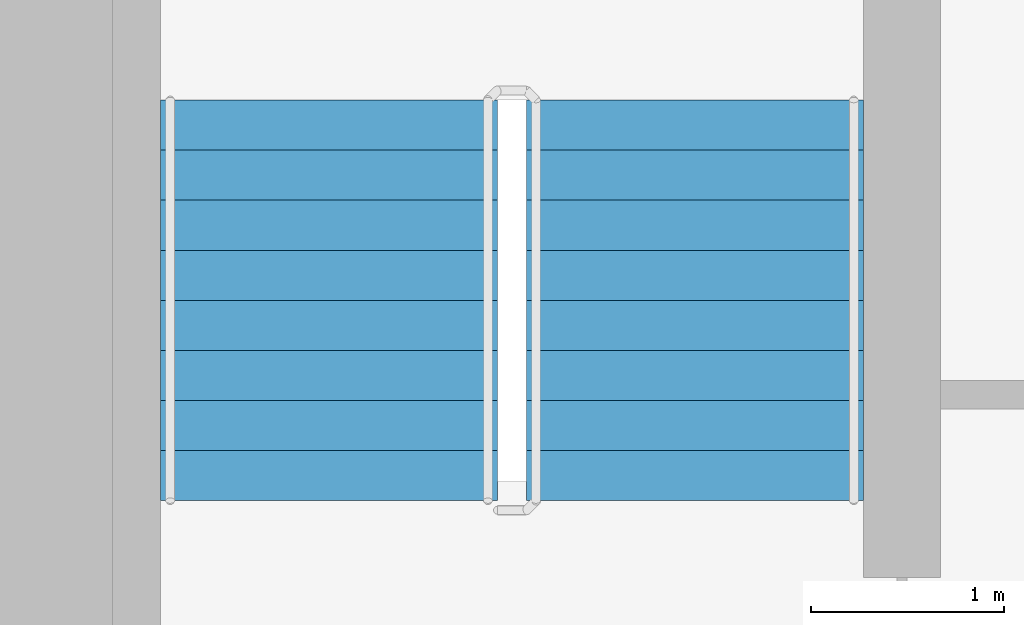
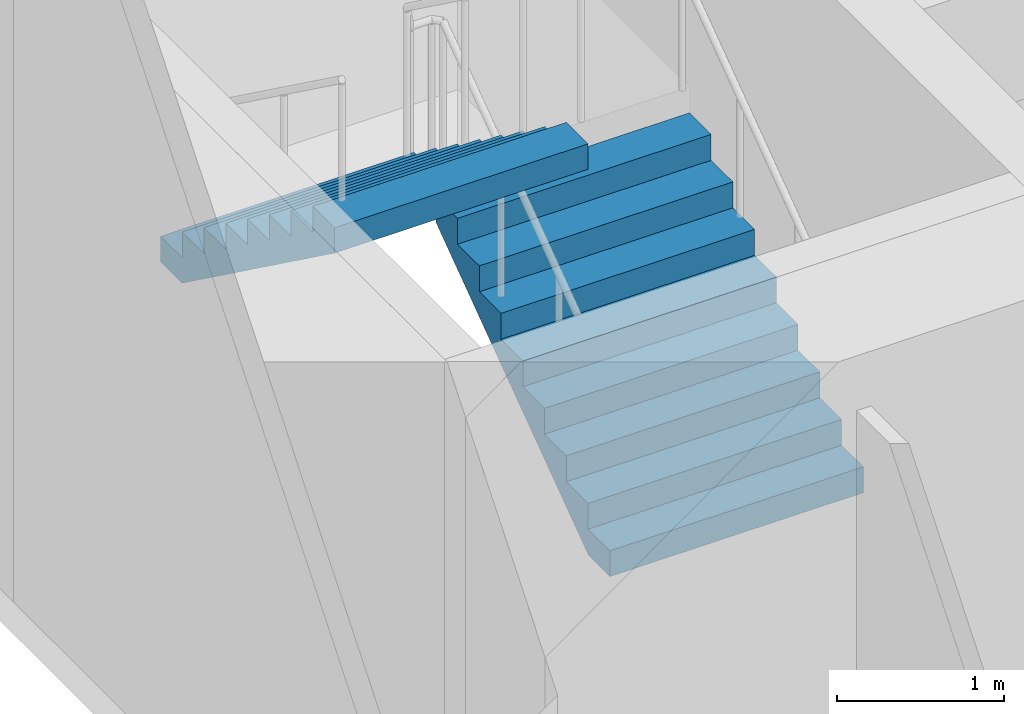
# One storey, part 18 of 21: 2 stair flights, 1 element without a shape of its own.
"""IFC4 building model written with IfcOpenShell, lengths in metres."""

import ifcopenshell
import ifcopenshell.guid

model = None  # the IFC model being written
_history = None  # IfcOwnerHistory: only IFC2X3 demands one
_inside = {}  # id of a spatial element -> (the spatial element, [elements in it])
_under = {}  # id of a project, library or spatial element -> (it, [spatial elements below it])
_declared = {}  # id of a project -> (the project, [libraries it declares])
_typed = {}  # id of a type object -> (the type object, [elements of that type])
_made_of = {}  # id of a material, layer set ... -> (it, [elements and type objects made of it])


def new_model(schema):
    """Start an empty IFC model of exactly this schema.

    Asked for "IFC4X3", IfcOpenShell would pick the latest addendum, in which some entities
    have other attributes; the version numbers below select the first issue.
    IFC2X3 requires an IfcOwnerHistory on every rooted entity: one is made here for all.
    """
    global model, _history
    if schema == "IFC4X3":
        model = ifcopenshell.file(schema_version=(4, 3, 0, 0))
    else:
        model = ifcopenshell.file(schema=schema)
    _inside.clear()
    _under.clear()
    _declared.clear()
    _typed.clear()
    _made_of.clear()
    _history = None
    if model.schema == "IFC2X3":
        org = make("IfcOrganization", Name="unknown")
        user = make(
            "IfcPersonAndOrganization",
            ThePerson=make("IfcPerson", FamilyName="unknown"),
            TheOrganization=org,
        )
        app = make(
            "IfcApplication",
            ApplicationDeveloper=org,
            Version="unknown",
            ApplicationFullName="unknown",
            ApplicationIdentifier="unknown",
        )
        _history = make(
            "IfcOwnerHistory",
            OwningUser=user,
            OwningApplication=app,
            ChangeAction="ADDED",
            CreationDate=0,
        )
    return model


def make(cls, **values):
    """One entity of the class cls with the attributes given. An attribute that is None is left unset."""
    return model.create_entity(
        cls, **{name: value for name, value in values.items() if value is not None}
    )


def rooted(cls, **values):
    """An entity with a GlobalId (a new one), such as an element, a storey or a relation."""
    return make(cls, GlobalId=ifcopenshell.guid.new(), OwnerHistory=_history, **values)


def si_unit(unit_type, name, prefix=None):
    """IfcSIUnit, for example si_unit("LENGTHUNIT", "METRE", prefix="MILLI")."""
    return make("IfcSIUnit", UnitType=unit_type, Prefix=prefix, Name=name)


def assignment(units):
    """IfcUnitAssignment: the units of a project."""
    return None if units is None else make("IfcUnitAssignment", Units=units)


def point(xyz):
    """IfcCartesianPoint."""
    return None if xyz is None else make("IfcCartesianPoint", Coordinates=xyz)


def direction(xyz):
    """IfcDirection."""
    return None if xyz is None else make("IfcDirection", DirectionRatios=xyz)


def frame(location, z_axis=None, x_axis=None):
    """IfcAxis2Placement3D, a coordinate frame: its origin and axes. An axis left out is left unset."""
    return make(
        "IfcAxis2Placement3D",
        Location=point(location),
        Axis=direction(z_axis),
        RefDirection=direction(x_axis),
    )


def origin():
    """The frame at (0, 0, 0) with its axes left unset."""
    return frame((0.0, 0.0, 0.0))


def place(relative_to, where):
    """IfcLocalPlacement: puts the frame where relative to a parent placement (None: the world)."""
    return make(
        "IfcLocalPlacement", PlacementRelTo=relative_to, RelativePlacement=where
    )


def context(
    kind, dimensions, precision=None, world=None, true_north=None, identifier=None
):
    """IfcGeometricRepresentationContext, for example the 3D "Model" context."""
    return make(
        "IfcGeometricRepresentationContext",
        ContextIdentifier=identifier,
        ContextType=kind,
        CoordinateSpaceDimension=dimensions,
        Precision=precision,
        WorldCoordinateSystem=world,
        TrueNorth=true_north,
    )


def subcontext(parent, identifier, kind, view, scale=None):
    """IfcGeometricRepresentationSubContext, for example "Body" below "Model"."""
    return make(
        "IfcGeometricRepresentationSubContext",
        ContextIdentifier=identifier,
        ContextType=kind,
        ParentContext=parent,
        TargetScale=scale,
        TargetView=view,
    )


def project(units=None, contexts=None):
    """IfcProject with its units and contexts."""
    return rooted(
        "IfcProject",
        Name="project",
        RepresentationContexts=contexts,
        UnitsInContext=assignment(units),
    )


def spatial(cls, under=None, at=None, **own):
    """A site, building, storey or space (cls), placed at a placement, below another one or the project."""
    s = rooted(cls, ObjectPlacement=at, **own)
    if under is not None:
        _under.setdefault(under.id(), (under, []))[1].append(s)
    return s


def faces_of(points, faces, orient=None, outer=None):
    """IfcFace entities. A face is a list of loops; a loop is a list of indices into points, from 0.

    orient and outer hold one flag for each loop. By default every Orientation is true, the
    first loop of a face is its IfcFaceOuterBound and the others are IfcFaceBound.
    """
    made = []
    for i, loops in enumerate(faces):
        bounds = []
        for j, loop in enumerate(loops):
            is_outer = j == 0 if outer is None else outer[i][j]
            bounds.append(
                make(
                    "IfcFaceOuterBound" if is_outer else "IfcFaceBound",
                    Bound=make("IfcPolyLoop", Polygon=[points[k] for k in loop]),
                    Orientation=True if orient is None else orient[i][j],
                )
            )
        made.append(make("IfcFace", Bounds=bounds))
    return made


def faceted_brep(points, faces, orient=None, outer=None, voids=None):
    """IfcFacetedBrep: a solid bounded by flat faces; with voids (closed shells), ...WithVoids."""
    shared = [point(p) for p in points]
    hull = make("IfcClosedShell", CfsFaces=faces_of(shared, faces, orient, outer))
    if voids is None:
        return make("IfcFacetedBrep", Outer=hull)
    return make(
        "IfcFacetedBrepWithVoids",
        Outer=hull,
        Voids=[
            make(cls, CfsFaces=faces_of(shared, fs, o, b)) for cls, fs, o, b in voids
        ],
    )


def shape(context_of_items, identifier, shape_type, items):
    """IfcShapeRepresentation: the items that make up one representation, for example the "Body"."""
    return make(
        "IfcShapeRepresentation",
        ContextOfItems=context_of_items,
        RepresentationIdentifier=identifier,
        RepresentationType=shape_type,
        Items=items,
    )


def material(Name=None, Category=None):
    """IfcMaterial."""
    return make("IfcMaterial", Name=Name, Category=Category)


def made_of(thing, what):
    """Note that an element or type object is made of a material, layer set ...; save() writes the relation."""
    if what is not None:
        _made_of.setdefault(what.id(), (what, []))[1].append(thing)
    return thing


def type_object(cls, material=None, **own):
    """A type object (cls), such as IfcWallType, which elements share."""
    return made_of(rooted(cls, **own), material)


def element(
    cls,
    number,
    at=None,
    inside=None,
    cuts=None,
    type_object=None,
    material=None,
    context=None,
    identifier="Body",
    shape_type=None,
    held_by="IfcProductDefinitionShape",
    body=None,
    shapes=None,
    **own,
):
    """One element of the class cls, such as IfcWall. Its Tag is "e" and its number.

    at: its placement. inside: the storey or other place that contains it. cuts: it is an
    opening in that element (IfcRelVoidsElement). A single representation is given by context,
    identifier, shape_type and body (its items); several are given by shapes. held_by: the class
    of the entity that holds the representations. save() writes the other relations.
    """
    e = rooted(cls, Tag="e%d" % number, ObjectPlacement=at, **own)
    if body is not None:
        shapes = [shape(context, identifier, shape_type, body)]
    if shapes is not None:
        e.Representation = make(held_by, Representations=shapes)
    if inside is not None:
        _inside.setdefault(inside.id(), (inside, []))[1].append(e)
    if cuts is not None:
        rooted(
            "IfcRelVoidsElement", RelatingBuildingElement=cuts, RelatedOpeningElement=e
        )
    if type_object is not None:
        _typed.setdefault(type_object.id(), (type_object, []))[1].append(e)
    return made_of(e, material)


def aggregate(whole, parts):
    """IfcRelAggregates: a whole, such as a stair, and the parts it consists of."""
    return rooted("IfcRelAggregates", RelatingObject=whole, RelatedObjects=parts)


def save(model, path):
    """Write the relations noted so far, then the file.

    IfcRelAggregates (storeys below a building ...), IfcRelContainedInSpatialStructure (elements
    in a storey), IfcRelDefinesByType, IfcRelAssociatesMaterial and IfcRelDeclares: one each for
    every whole, place, type object, material and project.
    """
    for whole, parts in _under.values():
        aggregate(whole, parts)
    for where, things in _inside.values():
        rooted(
            "IfcRelContainedInSpatialStructure",
            RelatedElements=things,
            RelatingStructure=where,
        )
    for kind, things in _typed.values():
        rooted("IfcRelDefinesByType", RelatedObjects=things, RelatingType=kind)
    for what, things in _made_of.values():
        rooted("IfcRelAssociatesMaterial", RelatedObjects=things, RelatingMaterial=what)
    for by, libraries in _declared.values():
        rooted("IfcRelDeclares", RelatingContext=by, RelatedDefinitions=libraries)
    model.write(path)


model = new_model("IFC4")

# Units and contexts
model_context = context("Model", 3, precision=1e-05, world=origin(), true_north=direction((0.0, 1.0)))
body_context = subcontext(model_context, "Body", "Model", "MODEL_VIEW")
ifc_project = project(units=[si_unit("LENGTHUNIT", "METRE"), si_unit("AREAUNIT", "SQUARE_METRE"), si_unit("VOLUMEUNIT", "CUBIC_METRE"), si_unit("PLANEANGLEUNIT", "RADIAN"), si_unit("MASSUNIT", "GRAM", prefix="KILO")], contexts=[model_context])

# Site, building, storey
site_placement = place(None, origin())
site = spatial("IfcSite", under=ifc_project, at=site_placement, CompositionType="ELEMENT")
building_placement = place(site_placement, origin())
building = spatial("IfcBuilding", under=site, at=building_placement, Name="Ipe Terrace Towers", CompositionType="ELEMENT")
storey_placement = place(building_placement, frame((0.0, 0.0, 93.60009765625)))
storey = spatial("IfcBuildingStorey", under=building, at=storey_placement, Name="L25", CompositionType="ELEMENT", Elevation=93.60009765625)

# Stair, stair flights
ifc_material_1 = material(Name="Concrete C30/37", Category="concrete")
stair_type = type_object("IfcStairType", Name="Protected exit stair", PredefinedType="HALF_TURN_STAIR", material=ifc_material_1)
stair_placement = place(storey_placement, origin())
stair = element("IfcStair", 1, at=stair_placement, inside=storey, type_object=stair_type, Name="L25 Exit stair T2-C1", PredefinedType="HALF_TURN_STAIR")
ifc_material_2 = material(Name="Concrete C30/37", Category="concrete")
stair_flight_type = type_object("IfcStairFlightType", Name="Exit stair flight 1750", PredefinedType="STRAIGHT", material=ifc_material_2)
stair_flight_1_placement = place(storey_placement, frame((33.22509765625, 9.699951171875, 0.0), z_axis=(0.0, 0.0, 1.0), x_axis=(0.0, 1.0, 0.0)))
stair_flight_1 = element("IfcStairFlight", 2, at=stair_flight_1_placement, type_object=stair_flight_type, Name="T2-ST1 flight 1", NumberOfRisers=9, NumberOfTreads=8, PredefinedType="STRAIGHT", RiserHeight=0.188888889, TreadLength=0.26, context=body_context, shape_type="Brep", body=[
    faceted_brep([(0.255126953125, -0.875, 0.0), (2.080078125, -0.875, 1.325927734375), (2.080078125, -0.875, 1.51123046875), (1.820068359375, -0.875, 1.51123046875), (1.820068359375, -0.875, 1.322265625), (1.56005859375, -0.875, 1.322265625), (1.56005859375, -0.875, 1.13330078125), (1.300048828125, -0.875, 1.13330078125), (1.300048828125, -0.875, 0.9443359375), (1.0400390625, -0.875, 0.9443359375), (1.0400390625, -0.875, 0.755615234375), (0.780029296875, -0.875, 0.755615234375), (0.780029296875, -0.875, 0.566650390625), (0.52001953125, -0.875, 0.566650390625), (0.52001953125, -0.875, 0.377685546875), (0.260009765625, -0.875, 0.377685546875), (0.260009765625, -0.875, 0.18896484375), (0.0, -0.875, 0.18896484375), (0.0, -0.875, 0.0), (0.0, 0.875, 0.0), (0.0, 0.875, 0.18896484375), (0.260009765625, 0.875, 0.18896484375), (0.260009765625, 0.875, 0.377685546875), (0.52001953125, 0.875, 0.377685546875), (0.52001953125, 0.875, 0.566650390625), (0.780029296875, 0.875, 0.566650390625), (0.780029296875, 0.875, 0.755615234375), (1.0400390625, 0.875, 0.755615234375), (1.0400390625, 0.875, 0.9443359375), (1.300048828125, 0.875, 0.9443359375), (1.300048828125, 0.875, 1.13330078125), (1.56005859375, 0.875, 1.13330078125), (1.56005859375, 0.875, 1.322265625), (1.820068359375, 0.875, 1.322265625), (1.820068359375, 0.875, 1.51123046875), (2.080078125, 0.875, 1.51123046875), (2.080078125, 0.875, 1.325927734375), (0.255126953125, 0.875, 0.0), (0.0, -0.300048828125, 0.18896484375), (0.0, -0.1201171875, 0.18896484375), (0.0, -0.06005859375, 0.18896484375), (0.0, -0.030029296875, 0.18896484375), (0.0, -0.010009765625, 0.18896484375), (0.0, 0.0, 0.18896484375), (0.0, 0.010009765625, 0.18896484375), (0.0, 0.030029296875, 0.18896484375), (0.0, 0.06005859375, 0.18896484375), (0.0, 0.1201171875, 0.18896484375), (0.0, 0.300048828125, 0.18896484375), (0.0, 0.300048828125, 0.0), (0.0, 0.1201171875, 0.0), (0.0, 0.06005859375, 0.0), (0.0, 0.030029296875, 0.0), (0.0, 0.010009765625, 0.0), (0.0, 0.0, 0.0), (0.0, -0.010009765625, 0.0), (0.0, -0.030029296875, 0.0), (0.0, -0.06005859375, 0.0), (0.0, -0.1201171875, 0.0), (0.0, -0.300048828125, 0.0), (0.260009765625, -0.300048828125, 0.18896484375), (0.260009765625, -0.1201171875, 0.18896484375), (0.260009765625, -0.06005859375, 0.18896484375), (0.260009765625, -0.030029296875, 0.18896484375), (0.260009765625, -0.010009765625, 0.18896484375), (0.260009765625, 0.0, 0.18896484375), (0.260009765625, 0.010009765625, 0.18896484375), (0.260009765625, 0.030029296875, 0.18896484375), (0.260009765625, 0.06005859375, 0.18896484375), (0.260009765625, 0.1201171875, 0.18896484375), (0.260009765625, 0.300048828125, 0.18896484375), (0.260009765625, -0.300048828125, 0.377685546875), (0.260009765625, -0.1201171875, 0.377685546875), (0.260009765625, -0.06005859375, 0.377685546875), (0.260009765625, -0.030029296875, 0.377685546875), (0.260009765625, -0.010009765625, 0.377685546875), (0.260009765625, 0.0, 0.377685546875), (0.260009765625, 0.010009765625, 0.377685546875), (0.260009765625, 0.030029296875, 0.377685546875), (0.260009765625, 0.06005859375, 0.377685546875), (0.260009765625, 0.1201171875, 0.377685546875), (0.260009765625, 0.300048828125, 0.377685546875), (0.52001953125, -0.300048828125, 0.377685546875), (0.52001953125, -0.1201171875, 0.377685546875), (0.52001953125, -0.06005859375, 0.377685546875), (0.52001953125, -0.030029296875, 0.377685546875), (0.52001953125, -0.010009765625, 0.377685546875), (0.52001953125, 0.0, 0.377685546875), (0.52001953125, 0.010009765625, 0.377685546875), (0.52001953125, 0.030029296875, 0.377685546875), (0.52001953125, 0.06005859375, 0.377685546875), (0.52001953125, 0.1201171875, 0.377685546875), (0.52001953125, 0.300048828125, 0.377685546875), (0.52001953125, -0.300048828125, 0.566650390625), (0.52001953125, -0.1201171875, 0.566650390625), (0.52001953125, -0.06005859375, 0.566650390625), (0.52001953125, -0.030029296875, 0.566650390625), (0.52001953125, -0.010009765625, 0.566650390625), (0.52001953125, 0.0, 0.566650390625), (0.52001953125, 0.010009765625, 0.566650390625), (0.52001953125, 0.030029296875, 0.566650390625), (0.52001953125, 0.06005859375, 0.566650390625), (0.52001953125, 0.1201171875, 0.566650390625), (0.52001953125, 0.300048828125, 0.566650390625), (0.780029296875, -0.300048828125, 0.566650390625), (0.780029296875, -0.1201171875, 0.566650390625), (0.780029296875, -0.06005859375, 0.566650390625), (0.780029296875, -0.030029296875, 0.566650390625), (0.780029296875, -0.010009765625, 0.566650390625), (0.780029296875, 0.0, 0.566650390625), (0.780029296875, 0.010009765625, 0.566650390625), (0.780029296875, 0.030029296875, 0.566650390625), (0.780029296875, 0.06005859375, 0.566650390625), (0.780029296875, 0.1201171875, 0.566650390625), (0.780029296875, 0.300048828125, 0.566650390625), (0.780029296875, -0.300048828125, 0.755615234375), (0.780029296875, -0.1201171875, 0.755615234375), (0.780029296875, -0.06005859375, 0.755615234375), (0.780029296875, -0.030029296875, 0.755615234375), (0.780029296875, -0.010009765625, 0.755615234375), (0.780029296875, 0.0, 0.755615234375), (0.780029296875, 0.010009765625, 0.755615234375), (0.780029296875, 0.030029296875, 0.755615234375), (0.780029296875, 0.06005859375, 0.755615234375), (0.780029296875, 0.1201171875, 0.755615234375), (0.780029296875, 0.300048828125, 0.755615234375), (1.0400390625, -0.300048828125, 0.755615234375), (1.0400390625, -0.1201171875, 0.755615234375), (1.0400390625, -0.06005859375, 0.755615234375), (1.0400390625, -0.030029296875, 0.755615234375), (1.0400390625, -0.010009765625, 0.755615234375), (1.0400390625, 0.0, 0.755615234375), (1.0400390625, 0.010009765625, 0.755615234375), (1.0400390625, 0.030029296875, 0.755615234375), (1.0400390625, 0.06005859375, 0.755615234375), (1.0400390625, 0.1201171875, 0.755615234375), (1.0400390625, 0.300048828125, 0.755615234375), (1.0400390625, -0.300048828125, 0.9443359375), (1.0400390625, -0.1201171875, 0.9443359375), (1.0400390625, -0.06005859375, 0.9443359375), (1.0400390625, -0.030029296875, 0.9443359375), (1.0400390625, -0.010009765625, 0.9443359375), (1.0400390625, 0.0, 0.9443359375), (1.0400390625, 0.010009765625, 0.9443359375), (1.0400390625, 0.030029296875, 0.9443359375), (1.0400390625, 0.06005859375, 0.9443359375), (1.0400390625, 0.1201171875, 0.9443359375), (1.0400390625, 0.300048828125, 0.9443359375), (1.300048828125, -0.300048828125, 0.9443359375), (1.300048828125, -0.1201171875, 0.9443359375), (1.300048828125, -0.06005859375, 0.9443359375), (1.300048828125, -0.030029296875, 0.9443359375), (1.300048828125, -0.010009765625, 0.9443359375), (1.300048828125, 0.0, 0.9443359375), (1.300048828125, 0.010009765625, 0.9443359375), (1.300048828125, 0.030029296875, 0.9443359375), (1.300048828125, 0.06005859375, 0.9443359375), (1.300048828125, 0.1201171875, 0.9443359375), (1.300048828125, 0.300048828125, 0.9443359375), (1.300048828125, -0.300048828125, 1.13330078125), (1.300048828125, -0.1201171875, 1.13330078125), (1.300048828125, -0.06005859375, 1.13330078125), (1.300048828125, -0.030029296875, 1.13330078125), (1.300048828125, -0.010009765625, 1.13330078125), (1.300048828125, 0.0, 1.13330078125), (1.300048828125, 0.010009765625, 1.13330078125), (1.300048828125, 0.030029296875, 1.13330078125), (1.300048828125, 0.06005859375, 1.13330078125), (1.300048828125, 0.1201171875, 1.13330078125), (1.300048828125, 0.300048828125, 1.13330078125), (1.56005859375, -0.300048828125, 1.13330078125), (1.56005859375, -0.1201171875, 1.13330078125), (1.56005859375, -0.06005859375, 1.13330078125), (1.56005859375, -0.030029296875, 1.13330078125), (1.56005859375, -0.010009765625, 1.13330078125), (1.56005859375, 0.0, 1.13330078125), (1.56005859375, 0.010009765625, 1.13330078125), (1.56005859375, 0.030029296875, 1.13330078125), (1.56005859375, 0.06005859375, 1.13330078125), (1.56005859375, 0.1201171875, 1.13330078125), (1.56005859375, 0.300048828125, 1.13330078125), (1.56005859375, -0.300048828125, 1.322265625), (1.56005859375, -0.1201171875, 1.322265625), (1.56005859375, -0.06005859375, 1.322265625), (1.56005859375, -0.030029296875, 1.322265625), (1.56005859375, -0.010009765625, 1.322265625), (1.56005859375, 0.0, 1.322265625), (1.56005859375, 0.010009765625, 1.322265625), (1.56005859375, 0.030029296875, 1.322265625), (1.56005859375, 0.06005859375, 1.322265625), (1.56005859375, 0.1201171875, 1.322265625), (1.56005859375, 0.300048828125, 1.322265625), (1.820068359375, -0.300048828125, 1.322265625), (1.820068359375, -0.1201171875, 1.322265625), (1.820068359375, -0.06005859375, 1.322265625), (1.820068359375, -0.030029296875, 1.322265625), (1.820068359375, -0.010009765625, 1.322265625), (1.820068359375, 0.0, 1.322265625), (1.820068359375, 0.010009765625, 1.322265625), (1.820068359375, 0.030029296875, 1.322265625), (1.820068359375, 0.06005859375, 1.322265625), (1.820068359375, 0.1201171875, 1.322265625), (1.820068359375, 0.300048828125, 1.322265625), (1.820068359375, -0.300048828125, 1.51123046875), (1.820068359375, -0.1201171875, 1.51123046875), (1.820068359375, -0.06005859375, 1.51123046875), (1.820068359375, -0.030029296875, 1.51123046875), (1.820068359375, -0.010009765625, 1.51123046875), (1.820068359375, 0.0, 1.51123046875), (1.820068359375, 0.010009765625, 1.51123046875), (1.820068359375, 0.030029296875, 1.51123046875), (1.820068359375, 0.06005859375, 1.51123046875), (1.820068359375, 0.1201171875, 1.51123046875), (1.820068359375, 0.300048828125, 1.51123046875), (2.080078125, -0.300048828125, 1.51123046875), (2.080078125, -0.1201171875, 1.51123046875), (2.080078125, -0.06005859375, 1.51123046875), (2.080078125, -0.030029296875, 1.51123046875), (2.080078125, -0.010009765625, 1.51123046875), (2.080078125, 0.0, 1.51123046875), (2.080078125, 0.010009765625, 1.51123046875), (2.080078125, 0.030029296875, 1.51123046875), (2.080078125, 0.06005859375, 1.51123046875), (2.080078125, 0.1201171875, 1.51123046875), (2.080078125, 0.300048828125, 1.51123046875), (2.080078125, -0.300048828125, 1.325927734375), (2.080078125, -0.1201171875, 1.325927734375), (2.080078125, -0.06005859375, 1.325927734375), (2.080078125, -0.030029296875, 1.325927734375), (2.080078125, -0.010009765625, 1.325927734375), (2.080078125, 0.0, 1.325927734375), (2.080078125, 0.010009765625, 1.325927734375), (2.080078125, 0.030029296875, 1.325927734375), (2.080078125, 0.06005859375, 1.325927734375), (2.080078125, 0.1201171875, 1.325927734375), (2.080078125, 0.300048828125, 1.325927734375), (0.255126953125, -0.300048828125, 0.0), (0.255126953125, -0.1201171875, 0.0), (0.255126953125, -0.06005859375, 0.0), (0.255126953125, -0.030029296875, 0.0), (0.255126953125, -0.010009765625, 0.0), (0.255126953125, 0.0, 0.0), (0.255126953125, 0.010009765625, 0.0), (0.255126953125, 0.030029296875, 0.0), (0.255126953125, 0.06005859375, 0.0), (0.255126953125, 0.1201171875, 0.0), (0.255126953125, 0.300048828125, 0.0)], [[[0, 1, 2, 3, 4, 5, 6, 7, 8, 9, 10, 11, 12, 13, 14, 15, 16, 17, 18]], [[19, 20, 21, 22, 23, 24, 25, 26, 27, 28, 29, 30, 31, 32, 33, 34, 35, 36, 37]], [[17, 38, 39, 40, 41, 42, 43, 44, 45, 46, 47, 48, 20, 19, 49, 50, 51, 52, 53, 54, 55, 56, 57, 58, 59, 18]], [[16, 60, 61, 62, 63, 64, 65, 66, 67, 68, 69, 70, 21, 20, 48, 47, 46, 45, 44, 43, 42, 41, 40, 39, 38, 17]], [[15, 71, 72, 73, 74, 75, 76, 77, 78, 79, 80, 81, 22, 21, 70, 69, 68, 67, 66, 65, 64, 63, 62, 61, 60, 16]], [[14, 82, 83, 84, 85, 86, 87, 88, 89, 90, 91, 92, 23, 22, 81, 80, 79, 78, 77, 76, 75, 74, 73, 72, 71, 15]], [[13, 93, 94, 95, 96, 97, 98, 99, 100, 101, 102, 103, 24, 23, 92, 91, 90, 89, 88, 87, 86, 85, 84, 83, 82, 14]], [[12, 104, 105, 106, 107, 108, 109, 110, 111, 112, 113, 114, 25, 24, 103, 102, 101, 100, 99, 98, 97, 96, 95, 94, 93, 13]], [[11, 115, 116, 117, 118, 119, 120, 121, 122, 123, 124, 125, 26, 25, 114, 113, 112, 111, 110, 109, 108, 107, 106, 105, 104, 12]], [[10, 126, 127, 128, 129, 130, 131, 132, 133, 134, 135, 136, 27, 26, 125, 124, 123, 122, 121, 120, 119, 118, 117, 116, 115, 11]], [[9, 137, 138, 139, 140, 141, 142, 143, 144, 145, 146, 147, 28, 27, 136, 135, 134, 133, 132, 131, 130, 129, 128, 127, 126, 10]], [[8, 148, 149, 150, 151, 152, 153, 154, 155, 156, 157, 158, 29, 28, 147, 146, 145, 144, 143, 142, 141, 140, 139, 138, 137, 9]], [[7, 159, 160, 161, 162, 163, 164, 165, 166, 167, 168, 169, 30, 29, 158, 157, 156, 155, 154, 153, 152, 151, 150, 149, 148, 8]], [[6, 170, 171, 172, 173, 174, 175, 176, 177, 178, 179, 180, 31, 30, 169, 168, 167, 166, 165, 164, 163, 162, 161, 160, 159, 7]], [[5, 181, 182, 183, 184, 185, 186, 187, 188, 189, 190, 191, 32, 31, 180, 179, 178, 177, 176, 175, 174, 173, 172, 171, 170, 6]], [[4, 192, 193, 194, 195, 196, 197, 198, 199, 200, 201, 202, 33, 32, 191, 190, 189, 188, 187, 186, 185, 184, 183, 182, 181, 5]], [[3, 203, 204, 205, 206, 207, 208, 209, 210, 211, 212, 213, 34, 33, 202, 201, 200, 199, 198, 197, 196, 195, 194, 193, 192, 4]], [[2, 214, 215, 216, 217, 218, 219, 220, 221, 222, 223, 224, 35, 34, 213, 212, 211, 210, 209, 208, 207, 206, 205, 204, 203, 3]], [[1, 225, 226, 227, 228, 229, 230, 231, 232, 233, 234, 235, 36, 35, 224, 223, 222, 221, 220, 219, 218, 217, 216, 215, 214, 2]], [[0, 236, 237, 238, 239, 240, 241, 242, 243, 244, 245, 246, 37, 36, 235, 234, 233, 232, 231, 230, 229, 228, 227, 226, 225, 1]], [[18, 59, 58, 57, 56, 55, 54, 53, 52, 51, 50, 49, 19, 37, 246, 245, 244, 243, 242, 241, 240, 239, 238, 237, 236, 0]]]),
])
stair_flight_2_placement = place(storey_placement, frame((31.324951171875, 11.780029296875, 1.699951171875), z_axis=(0.0, 0.0, 1.0), x_axis=(0.0, -1.0, 0.0)))
stair_flight_2 = element("IfcStairFlight", 3, at=stair_flight_2_placement, type_object=stair_flight_type, Name="T2-ST1 flight 2", NumberOfRisers=9, NumberOfTreads=8, PredefinedType="STRAIGHT", RiserHeight=0.188888889, TreadLength=0.26, context=body_context, shape_type="Brep", body=[
    faceted_brep([(0.255126953125, -0.875, 0.0), (2.080078125, -0.875, 1.325927734375), (2.080078125, -0.875, 1.51123046875), (1.820068359375, -0.875, 1.51123046875), (1.820068359375, -0.875, 1.322265625), (1.56005859375, -0.875, 1.322265625), (1.56005859375, -0.875, 1.13330078125), (1.300048828125, -0.875, 1.13330078125), (1.300048828125, -0.875, 0.9443359375), (1.0400390625, -0.875, 0.9443359375), (1.0400390625, -0.875, 0.755615234375), (0.780029296875, -0.875, 0.755615234375), (0.780029296875, -0.875, 0.566650390625), (0.52001953125, -0.875, 0.566650390625), (0.52001953125, -0.875, 0.377685546875), (0.260009765625, -0.875, 0.377685546875), (0.260009765625, -0.875, 0.18896484375), (0.0, -0.875, 0.18896484375), (0.0, -0.875, 0.0), (0.0, 0.875, 0.0), (0.0, 0.875, 0.18896484375), (0.260009765625, 0.875, 0.18896484375), (0.260009765625, 0.875, 0.377685546875), (0.52001953125, 0.875, 0.377685546875), (0.52001953125, 0.875, 0.566650390625), (0.780029296875, 0.875, 0.566650390625), (0.780029296875, 0.875, 0.755615234375), (1.0400390625, 0.875, 0.755615234375), (1.0400390625, 0.875, 0.9443359375), (1.300048828125, 0.875, 0.9443359375), (1.300048828125, 0.875, 1.13330078125), (1.56005859375, 0.875, 1.13330078125), (1.56005859375, 0.875, 1.322265625), (1.820068359375, 0.875, 1.322265625), (1.820068359375, 0.875, 1.51123046875), (2.080078125, 0.875, 1.51123046875), (2.080078125, 0.875, 1.325927734375), (0.255126953125, 0.875, 0.0), (0.0, -0.300048828125, 0.18896484375), (0.0, -0.1201171875, 0.18896484375), (0.0, -0.06005859375, 0.18896484375), (0.0, -0.030029296875, 0.18896484375), (0.0, -0.010009765625, 0.18896484375), (0.0, 0.0, 0.18896484375), (0.0, 0.010009765625, 0.18896484375), (0.0, 0.030029296875, 0.18896484375), (0.0, 0.06005859375, 0.18896484375), (0.0, 0.1201171875, 0.18896484375), (0.0, 0.300048828125, 0.18896484375), (0.0, 0.300048828125, 0.0), (0.0, 0.1201171875, 0.0), (0.0, 0.06005859375, 0.0), (0.0, 0.030029296875, 0.0), (0.0, 0.010009765625, 0.0), (0.0, 0.0, 0.0), (0.0, -0.010009765625, 0.0), (0.0, -0.030029296875, 0.0), (0.0, -0.06005859375, 0.0), (0.0, -0.1201171875, 0.0), (0.0, -0.300048828125, 0.0), (0.260009765625, -0.300048828125, 0.18896484375), (0.260009765625, -0.1201171875, 0.18896484375), (0.260009765625, -0.06005859375, 0.18896484375), (0.260009765625, -0.030029296875, 0.18896484375), (0.260009765625, -0.010009765625, 0.18896484375), (0.260009765625, 0.0, 0.18896484375), (0.260009765625, 0.010009765625, 0.18896484375), (0.260009765625, 0.030029296875, 0.18896484375), (0.260009765625, 0.06005859375, 0.18896484375), (0.260009765625, 0.1201171875, 0.18896484375), (0.260009765625, 0.300048828125, 0.18896484375), (0.260009765625, -0.300048828125, 0.377685546875), (0.260009765625, -0.1201171875, 0.377685546875), (0.260009765625, -0.06005859375, 0.377685546875), (0.260009765625, -0.030029296875, 0.377685546875), (0.260009765625, -0.010009765625, 0.377685546875), (0.260009765625, 0.0, 0.377685546875), (0.260009765625, 0.010009765625, 0.377685546875), (0.260009765625, 0.030029296875, 0.377685546875), (0.260009765625, 0.06005859375, 0.377685546875), (0.260009765625, 0.1201171875, 0.377685546875), (0.260009765625, 0.300048828125, 0.377685546875), (0.52001953125, -0.300048828125, 0.377685546875), (0.52001953125, -0.1201171875, 0.377685546875), (0.52001953125, -0.06005859375, 0.377685546875), (0.52001953125, -0.030029296875, 0.377685546875), (0.52001953125, -0.010009765625, 0.377685546875), (0.52001953125, 0.0, 0.377685546875), (0.52001953125, 0.010009765625, 0.377685546875), (0.52001953125, 0.030029296875, 0.377685546875), (0.52001953125, 0.06005859375, 0.377685546875), (0.52001953125, 0.1201171875, 0.377685546875), (0.52001953125, 0.300048828125, 0.377685546875), (0.52001953125, -0.300048828125, 0.566650390625), (0.52001953125, -0.1201171875, 0.566650390625), (0.52001953125, -0.06005859375, 0.566650390625), (0.52001953125, -0.030029296875, 0.566650390625), (0.52001953125, -0.010009765625, 0.566650390625), (0.52001953125, 0.0, 0.566650390625), (0.52001953125, 0.010009765625, 0.566650390625), (0.52001953125, 0.030029296875, 0.566650390625), (0.52001953125, 0.06005859375, 0.566650390625), (0.52001953125, 0.1201171875, 0.566650390625), (0.52001953125, 0.300048828125, 0.566650390625), (0.780029296875, -0.300048828125, 0.566650390625), (0.780029296875, -0.1201171875, 0.566650390625), (0.780029296875, -0.06005859375, 0.566650390625), (0.780029296875, -0.030029296875, 0.566650390625), (0.780029296875, -0.010009765625, 0.566650390625), (0.780029296875, 0.0, 0.566650390625), (0.780029296875, 0.010009765625, 0.566650390625), (0.780029296875, 0.030029296875, 0.566650390625), (0.780029296875, 0.06005859375, 0.566650390625), (0.780029296875, 0.1201171875, 0.566650390625), (0.780029296875, 0.300048828125, 0.566650390625), (0.780029296875, -0.300048828125, 0.755615234375), (0.780029296875, -0.1201171875, 0.755615234375), (0.780029296875, -0.06005859375, 0.755615234375), (0.780029296875, -0.030029296875, 0.755615234375), (0.780029296875, -0.010009765625, 0.755615234375), (0.780029296875, 0.0, 0.755615234375), (0.780029296875, 0.010009765625, 0.755615234375), (0.780029296875, 0.030029296875, 0.755615234375), (0.780029296875, 0.06005859375, 0.755615234375), (0.780029296875, 0.1201171875, 0.755615234375), (0.780029296875, 0.300048828125, 0.755615234375), (1.0400390625, -0.300048828125, 0.755615234375), (1.0400390625, -0.1201171875, 0.755615234375), (1.0400390625, -0.06005859375, 0.755615234375), (1.0400390625, -0.030029296875, 0.755615234375), (1.0400390625, -0.010009765625, 0.755615234375), (1.0400390625, 0.0, 0.755615234375), (1.0400390625, 0.010009765625, 0.755615234375), (1.0400390625, 0.030029296875, 0.755615234375), (1.0400390625, 0.06005859375, 0.755615234375), (1.0400390625, 0.1201171875, 0.755615234375), (1.0400390625, 0.300048828125, 0.755615234375), (1.0400390625, -0.300048828125, 0.9443359375), (1.0400390625, -0.1201171875, 0.9443359375), (1.0400390625, -0.06005859375, 0.9443359375), (1.0400390625, -0.030029296875, 0.9443359375), (1.0400390625, -0.010009765625, 0.9443359375), (1.0400390625, 0.0, 0.9443359375), (1.0400390625, 0.010009765625, 0.9443359375), (1.0400390625, 0.030029296875, 0.9443359375), (1.0400390625, 0.06005859375, 0.9443359375), (1.0400390625, 0.1201171875, 0.9443359375), (1.0400390625, 0.300048828125, 0.9443359375), (1.300048828125, -0.300048828125, 0.9443359375), (1.300048828125, -0.1201171875, 0.9443359375), (1.300048828125, -0.06005859375, 0.9443359375), (1.300048828125, -0.030029296875, 0.9443359375), (1.300048828125, -0.010009765625, 0.9443359375), (1.300048828125, 0.0, 0.9443359375), (1.300048828125, 0.010009765625, 0.9443359375), (1.300048828125, 0.030029296875, 0.9443359375), (1.300048828125, 0.06005859375, 0.9443359375), (1.300048828125, 0.1201171875, 0.9443359375), (1.300048828125, 0.300048828125, 0.9443359375), (1.300048828125, -0.300048828125, 1.13330078125), (1.300048828125, -0.1201171875, 1.13330078125), (1.300048828125, -0.06005859375, 1.13330078125), (1.300048828125, -0.030029296875, 1.13330078125), (1.300048828125, -0.010009765625, 1.13330078125), (1.300048828125, 0.0, 1.13330078125), (1.300048828125, 0.010009765625, 1.13330078125), (1.300048828125, 0.030029296875, 1.13330078125), (1.300048828125, 0.06005859375, 1.13330078125), (1.300048828125, 0.1201171875, 1.13330078125), (1.300048828125, 0.300048828125, 1.13330078125), (1.56005859375, -0.300048828125, 1.13330078125), (1.56005859375, -0.1201171875, 1.13330078125), (1.56005859375, -0.06005859375, 1.13330078125), (1.56005859375, -0.030029296875, 1.13330078125), (1.56005859375, -0.010009765625, 1.13330078125), (1.56005859375, 0.0, 1.13330078125), (1.56005859375, 0.010009765625, 1.13330078125), (1.56005859375, 0.030029296875, 1.13330078125), (1.56005859375, 0.06005859375, 1.13330078125), (1.56005859375, 0.1201171875, 1.13330078125), (1.56005859375, 0.300048828125, 1.13330078125), (1.56005859375, -0.300048828125, 1.322265625), (1.56005859375, -0.1201171875, 1.322265625), (1.56005859375, -0.06005859375, 1.322265625), (1.56005859375, -0.030029296875, 1.322265625), (1.56005859375, -0.010009765625, 1.322265625), (1.56005859375, 0.0, 1.322265625), (1.56005859375, 0.010009765625, 1.322265625), (1.56005859375, 0.030029296875, 1.322265625), (1.56005859375, 0.06005859375, 1.322265625), (1.56005859375, 0.1201171875, 1.322265625), (1.56005859375, 0.300048828125, 1.322265625), (1.820068359375, -0.300048828125, 1.322265625), (1.820068359375, -0.1201171875, 1.322265625), (1.820068359375, -0.06005859375, 1.322265625), (1.820068359375, -0.030029296875, 1.322265625), (1.820068359375, -0.010009765625, 1.322265625), (1.820068359375, 0.0, 1.322265625), (1.820068359375, 0.010009765625, 1.322265625), (1.820068359375, 0.030029296875, 1.322265625), (1.820068359375, 0.06005859375, 1.322265625), (1.820068359375, 0.1201171875, 1.322265625), (1.820068359375, 0.300048828125, 1.322265625), (1.820068359375, -0.300048828125, 1.51123046875), (1.820068359375, -0.1201171875, 1.51123046875), (1.820068359375, -0.06005859375, 1.51123046875), (1.820068359375, -0.030029296875, 1.51123046875), (1.820068359375, -0.010009765625, 1.51123046875), (1.820068359375, 0.0, 1.51123046875), (1.820068359375, 0.010009765625, 1.51123046875), (1.820068359375, 0.030029296875, 1.51123046875), (1.820068359375, 0.06005859375, 1.51123046875), (1.820068359375, 0.1201171875, 1.51123046875), (1.820068359375, 0.300048828125, 1.51123046875), (2.080078125, -0.300048828125, 1.51123046875), (2.080078125, -0.1201171875, 1.51123046875), (2.080078125, -0.06005859375, 1.51123046875), (2.080078125, -0.030029296875, 1.51123046875), (2.080078125, -0.010009765625, 1.51123046875), (2.080078125, 0.0, 1.51123046875), (2.080078125, 0.010009765625, 1.51123046875), (2.080078125, 0.030029296875, 1.51123046875), (2.080078125, 0.06005859375, 1.51123046875), (2.080078125, 0.1201171875, 1.51123046875), (2.080078125, 0.300048828125, 1.51123046875), (2.080078125, -0.300048828125, 1.325927734375), (2.080078125, -0.1201171875, 1.325927734375), (2.080078125, -0.06005859375, 1.325927734375), (2.080078125, -0.030029296875, 1.325927734375), (2.080078125, -0.010009765625, 1.325927734375), (2.080078125, 0.0, 1.325927734375), (2.080078125, 0.010009765625, 1.325927734375), (2.080078125, 0.030029296875, 1.325927734375), (2.080078125, 0.06005859375, 1.325927734375), (2.080078125, 0.1201171875, 1.325927734375), (2.080078125, 0.300048828125, 1.325927734375), (0.255126953125, -0.300048828125, 0.0), (0.255126953125, -0.1201171875, 0.0), (0.255126953125, -0.06005859375, 0.0), (0.255126953125, -0.030029296875, 0.0), (0.255126953125, -0.010009765625, 0.0), (0.255126953125, 0.0, 0.0), (0.255126953125, 0.010009765625, 0.0), (0.255126953125, 0.030029296875, 0.0), (0.255126953125, 0.06005859375, 0.0), (0.255126953125, 0.1201171875, 0.0), (0.255126953125, 0.300048828125, 0.0)], [[[0, 1, 2, 3, 4, 5, 6, 7, 8, 9, 10, 11, 12, 13, 14, 15, 16, 17, 18]], [[19, 20, 21, 22, 23, 24, 25, 26, 27, 28, 29, 30, 31, 32, 33, 34, 35, 36, 37]], [[17, 38, 39, 40, 41, 42, 43, 44, 45, 46, 47, 48, 20, 19, 49, 50, 51, 52, 53, 54, 55, 56, 57, 58, 59, 18]], [[16, 60, 61, 62, 63, 64, 65, 66, 67, 68, 69, 70, 21, 20, 48, 47, 46, 45, 44, 43, 42, 41, 40, 39, 38, 17]], [[15, 71, 72, 73, 74, 75, 76, 77, 78, 79, 80, 81, 22, 21, 70, 69, 68, 67, 66, 65, 64, 63, 62, 61, 60, 16]], [[14, 82, 83, 84, 85, 86, 87, 88, 89, 90, 91, 92, 23, 22, 81, 80, 79, 78, 77, 76, 75, 74, 73, 72, 71, 15]], [[13, 93, 94, 95, 96, 97, 98, 99, 100, 101, 102, 103, 24, 23, 92, 91, 90, 89, 88, 87, 86, 85, 84, 83, 82, 14]], [[12, 104, 105, 106, 107, 108, 109, 110, 111, 112, 113, 114, 25, 24, 103, 102, 101, 100, 99, 98, 97, 96, 95, 94, 93, 13]], [[11, 115, 116, 117, 118, 119, 120, 121, 122, 123, 124, 125, 26, 25, 114, 113, 112, 111, 110, 109, 108, 107, 106, 105, 104, 12]], [[10, 126, 127, 128, 129, 130, 131, 132, 133, 134, 135, 136, 27, 26, 125, 124, 123, 122, 121, 120, 119, 118, 117, 116, 115, 11]], [[9, 137, 138, 139, 140, 141, 142, 143, 144, 145, 146, 147, 28, 27, 136, 135, 134, 133, 132, 131, 130, 129, 128, 127, 126, 10]], [[8, 148, 149, 150, 151, 152, 153, 154, 155, 156, 157, 158, 29, 28, 147, 146, 145, 144, 143, 142, 141, 140, 139, 138, 137, 9]], [[7, 159, 160, 161, 162, 163, 164, 165, 166, 167, 168, 169, 30, 29, 158, 157, 156, 155, 154, 153, 152, 151, 150, 149, 148, 8]], [[6, 170, 171, 172, 173, 174, 175, 176, 177, 178, 179, 180, 31, 30, 169, 168, 167, 166, 165, 164, 163, 162, 161, 160, 159, 7]], [[5, 181, 182, 183, 184, 185, 186, 187, 188, 189, 190, 191, 32, 31, 180, 179, 178, 177, 176, 175, 174, 173, 172, 171, 170, 6]], [[4, 192, 193, 194, 195, 196, 197, 198, 199, 200, 201, 202, 33, 32, 191, 190, 189, 188, 187, 186, 185, 184, 183, 182, 181, 5]], [[3, 203, 204, 205, 206, 207, 208, 209, 210, 211, 212, 213, 34, 33, 202, 201, 200, 199, 198, 197, 196, 195, 194, 193, 192, 4]], [[2, 214, 215, 216, 217, 218, 219, 220, 221, 222, 223, 224, 35, 34, 213, 212, 211, 210, 209, 208, 207, 206, 205, 204, 203, 3]], [[1, 225, 226, 227, 228, 229, 230, 231, 232, 233, 234, 235, 36, 35, 224, 223, 222, 221, 220, 219, 218, 217, 216, 215, 214, 2]], [[0, 236, 237, 238, 239, 240, 241, 242, 243, 244, 245, 246, 37, 36, 235, 234, 233, 232, 231, 230, 229, 228, 227, 226, 225, 1]], [[18, 59, 58, 57, 56, 55, 54, 53, 52, 51, 50, 49, 19, 37, 246, 245, 244, 243, 242, 241, 240, 239, 238, 237, 236, 0]]]),
])
aggregate(stair, [stair_flight_1, stair_flight_2])

save(model, "model.ifc")
